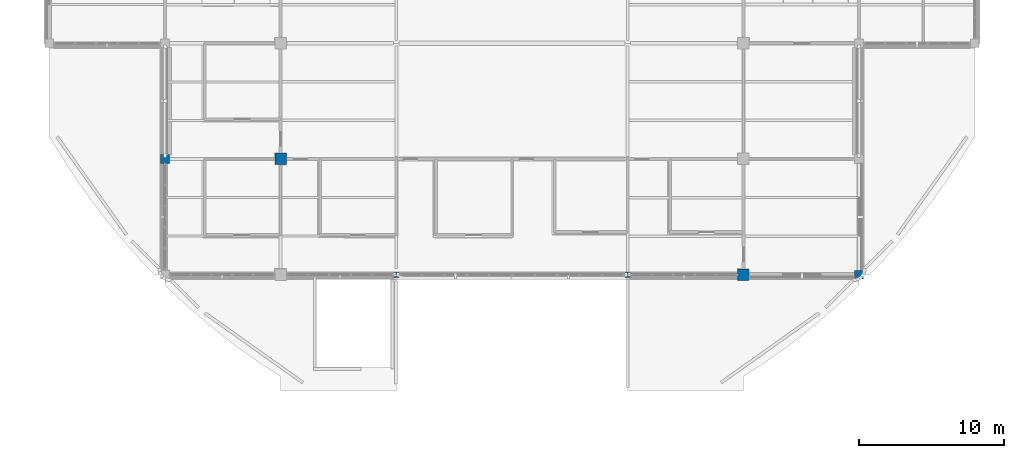
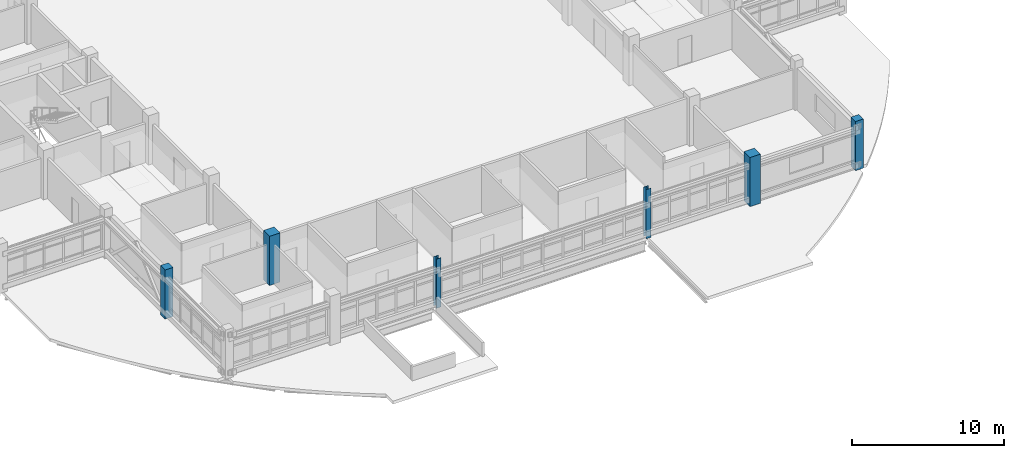
# One storey, part 2 of 126: 6 columns.
"""IFC4 building model written with IfcOpenShell, lengths in metres."""

import ifcopenshell
import ifcopenshell.guid

model = None  # the IFC model being written
_history = None  # IfcOwnerHistory: only IFC2X3 demands one
_inside = {}  # id of a spatial element -> (the spatial element, [elements in it])
_under = {}  # id of a project, library or spatial element -> (it, [spatial elements below it])
_declared = {}  # id of a project -> (the project, [libraries it declares])
_typed = {}  # id of a type object -> (the type object, [elements of that type])
_made_of = {}  # id of a material, layer set ... -> (it, [elements and type objects made of it])


def new_model(schema):
    """Start an empty IFC model of exactly this schema.

    Asked for "IFC4X3", IfcOpenShell would pick the latest addendum, in which some entities
    have other attributes; the version numbers below select the first issue.
    IFC2X3 requires an IfcOwnerHistory on every rooted entity: one is made here for all.
    """
    global model, _history
    if schema == "IFC4X3":
        model = ifcopenshell.file(schema_version=(4, 3, 0, 0))
    else:
        model = ifcopenshell.file(schema=schema)
    _inside.clear()
    _under.clear()
    _declared.clear()
    _typed.clear()
    _made_of.clear()
    _history = None
    if model.schema == "IFC2X3":
        org = make("IfcOrganization", Name="unknown")
        user = make(
            "IfcPersonAndOrganization",
            ThePerson=make("IfcPerson", FamilyName="unknown"),
            TheOrganization=org,
        )
        app = make(
            "IfcApplication",
            ApplicationDeveloper=org,
            Version="unknown",
            ApplicationFullName="unknown",
            ApplicationIdentifier="unknown",
        )
        _history = make(
            "IfcOwnerHistory",
            OwningUser=user,
            OwningApplication=app,
            ChangeAction="ADDED",
            CreationDate=0,
        )
    return model


def make(cls, **values):
    """One entity of the class cls with the attributes given. An attribute that is None is left unset."""
    return model.create_entity(
        cls, **{name: value for name, value in values.items() if value is not None}
    )


def rooted(cls, **values):
    """An entity with a GlobalId (a new one), such as an element, a storey or a relation."""
    return make(cls, GlobalId=ifcopenshell.guid.new(), OwnerHistory=_history, **values)


def si_unit(unit_type, name, prefix=None):
    """IfcSIUnit, for example si_unit("LENGTHUNIT", "METRE", prefix="MILLI")."""
    return make("IfcSIUnit", UnitType=unit_type, Prefix=prefix, Name=name)


def derived_unit(unit_type, elements):
    """IfcDerivedUnit: a product of units, each with its exponent."""
    return make(
        "IfcDerivedUnit",
        Elements=[
            make("IfcDerivedUnitElement", Unit=unit, Exponent=power)
            for unit, power in elements
        ],
        UnitType=unit_type,
    )


def assignment(units):
    """IfcUnitAssignment: the units of a project."""
    return None if units is None else make("IfcUnitAssignment", Units=units)


def point(xyz):
    """IfcCartesianPoint."""
    return None if xyz is None else make("IfcCartesianPoint", Coordinates=xyz)


def direction(xyz):
    """IfcDirection."""
    return None if xyz is None else make("IfcDirection", DirectionRatios=xyz)


def frame(location, z_axis=None, x_axis=None):
    """IfcAxis2Placement3D, a coordinate frame: its origin and axes. An axis left out is left unset."""
    return make(
        "IfcAxis2Placement3D",
        Location=point(location),
        Axis=direction(z_axis),
        RefDirection=direction(x_axis),
    )


def frame_2d(location, x_axis=None):
    """IfcAxis2Placement2D, a coordinate frame in the plane: its origin and x axis."""
    return make(
        "IfcAxis2Placement2D", Location=point(location), RefDirection=direction(x_axis)
    )


def origin():
    """The frame at (0, 0, 0) with its axes left unset."""
    return frame((0.0, 0.0, 0.0))


def origin_2d():
    """The frame at (0, 0) in the plane with its x axis left unset."""
    return frame_2d((0.0, 0.0))


def place(relative_to, where):
    """IfcLocalPlacement: puts the frame where relative to a parent placement (None: the world)."""
    return make(
        "IfcLocalPlacement", PlacementRelTo=relative_to, RelativePlacement=where
    )


def context(
    kind, dimensions, precision=None, world=None, true_north=None, identifier=None
):
    """IfcGeometricRepresentationContext, for example the 3D "Model" context."""
    return make(
        "IfcGeometricRepresentationContext",
        ContextIdentifier=identifier,
        ContextType=kind,
        CoordinateSpaceDimension=dimensions,
        Precision=precision,
        WorldCoordinateSystem=world,
        TrueNorth=true_north,
    )


def subcontext(parent, identifier, kind, view, scale=None):
    """IfcGeometricRepresentationSubContext, for example "Body" below "Model"."""
    return make(
        "IfcGeometricRepresentationSubContext",
        ContextIdentifier=identifier,
        ContextType=kind,
        ParentContext=parent,
        TargetScale=scale,
        TargetView=view,
    )


def project(units=None, contexts=None):
    """IfcProject with its units and contexts."""
    return rooted(
        "IfcProject",
        Name="project",
        RepresentationContexts=contexts,
        UnitsInContext=assignment(units),
    )


def spatial(cls, under=None, at=None, **own):
    """A site, building, storey or space (cls), placed at a placement, below another one or the project."""
    s = rooted(cls, ObjectPlacement=at, **own)
    if under is not None:
        _under.setdefault(under.id(), (under, []))[1].append(s)
    return s


def profile(cls, at=None, kind="AREA", **sizes):
    """A parametric profile (cls). Its sizes go by their IFC names, for example OverallWidth=200.0."""
    return make(cls, ProfileType=kind, Position=at, **sizes)


def rectangle(**sizes):
    """IfcRectangleProfileDef."""
    return profile("IfcRectangleProfileDef", **sizes)


def i_section(**sizes):
    """IfcIShapeProfileDef."""
    return profile("IfcIShapeProfileDef", **sizes)


def extrude(swept, where, along, depth):
    """IfcExtrudedAreaSolid: the profile swept, set in the frame where, extruded along a direction by depth."""
    return make(
        "IfcExtrudedAreaSolid",
        SweptArea=swept,
        Position=where,
        ExtrudedDirection=direction(along),
        Depth=depth,
    )


def shape(context_of_items, identifier, shape_type, items):
    """IfcShapeRepresentation: the items that make up one representation, for example the "Body"."""
    return make(
        "IfcShapeRepresentation",
        ContextOfItems=context_of_items,
        RepresentationIdentifier=identifier,
        RepresentationType=shape_type,
        Items=items,
    )


def material(Name=None, Category=None):
    """IfcMaterial."""
    return make("IfcMaterial", Name=Name, Category=Category)


def material_profile(
    of_material, cross_section, Name=None, Category=None, Priority=None
):
    """IfcMaterialProfile: a cross section and its material."""
    return make(
        "IfcMaterialProfile",
        Name=Name,
        Material=of_material,
        Profile=cross_section,
        Priority=Priority,
        Category=Category,
    )


def profile_set(profiles, Name=None, composite=None):
    """IfcMaterialProfileSet."""
    return make(
        "IfcMaterialProfileSet",
        Name=Name,
        MaterialProfiles=profiles,
        CompositeProfile=composite,
    )


def made_of(thing, what):
    """Note that an element or type object is made of a material, layer set ...; save() writes the relation."""
    if what is not None:
        _made_of.setdefault(what.id(), (what, []))[1].append(thing)
    return thing


def type_object(cls, material=None, **own):
    """A type object (cls), such as IfcWallType, which elements share."""
    return made_of(rooted(cls, **own), material)


def element(
    cls,
    number,
    at=None,
    inside=None,
    cuts=None,
    type_object=None,
    material=None,
    context=None,
    identifier="Body",
    shape_type=None,
    held_by="IfcProductDefinitionShape",
    body=None,
    shapes=None,
    **own,
):
    """One element of the class cls, such as IfcWall. Its Tag is "e" and its number.

    at: its placement. inside: the storey or other place that contains it. cuts: it is an
    opening in that element (IfcRelVoidsElement). A single representation is given by context,
    identifier, shape_type and body (its items); several are given by shapes. held_by: the class
    of the entity that holds the representations. save() writes the other relations.
    """
    e = rooted(cls, Tag="e%d" % number, ObjectPlacement=at, **own)
    if body is not None:
        shapes = [shape(context, identifier, shape_type, body)]
    if shapes is not None:
        e.Representation = make(held_by, Representations=shapes)
    if inside is not None:
        _inside.setdefault(inside.id(), (inside, []))[1].append(e)
    if cuts is not None:
        rooted(
            "IfcRelVoidsElement", RelatingBuildingElement=cuts, RelatedOpeningElement=e
        )
    if type_object is not None:
        _typed.setdefault(type_object.id(), (type_object, []))[1].append(e)
    return made_of(e, material)


def aggregate(whole, parts):
    """IfcRelAggregates: a whole, such as a stair, and the parts it consists of."""
    return rooted("IfcRelAggregates", RelatingObject=whole, RelatedObjects=parts)


def save(model, path):
    """Write the relations noted so far, then the file.

    IfcRelAggregates (storeys below a building ...), IfcRelContainedInSpatialStructure (elements
    in a storey), IfcRelDefinesByType, IfcRelAssociatesMaterial and IfcRelDeclares: one each for
    every whole, place, type object, material and project.
    """
    for whole, parts in _under.values():
        aggregate(whole, parts)
    for where, things in _inside.values():
        rooted(
            "IfcRelContainedInSpatialStructure",
            RelatedElements=things,
            RelatingStructure=where,
        )
    for kind, things in _typed.values():
        rooted("IfcRelDefinesByType", RelatedObjects=things, RelatingType=kind)
    for what, things in _made_of.values():
        rooted("IfcRelAssociatesMaterial", RelatedObjects=things, RelatingMaterial=what)
    for by, libraries in _declared.values():
        rooted("IfcRelDeclares", RelatingContext=by, RelatedDefinitions=libraries)
    model.write(path)


model = new_model("IFC4")

# Units and contexts
model_context = context("Model", 3, precision=1e-05, world=origin(), true_north=direction((0.0, 1.0)))
body_context = subcontext(model_context, "Body", "Model", "MODEL_VIEW")
ifc_project = project(units=[si_unit("LENGTHUNIT", "METRE"), si_unit("AREAUNIT", "SQUARE_METRE"), si_unit("VOLUMEUNIT", "CUBIC_METRE"), si_unit("PLANEANGLEUNIT", "RADIAN"), si_unit("MASSUNIT", "GRAM", prefix="KILO"), derived_unit("THERMALTRANSMITTANCEUNIT", [(si_unit("MASSUNIT", "GRAM", prefix="KILO"), 1), (si_unit("TIMEUNIT", "SECOND"), -3), (si_unit("THERMODYNAMICTEMPERATUREUNIT", "KELVIN"), -1)])], contexts=[model_context])

# Site, building, storey
site_placement = place(None, origin())
site = spatial("IfcSite", under=ifc_project, at=site_placement, CompositionType="ELEMENT")
building_placement = place(site_placement, origin())
building = spatial("IfcBuilding", under=site, at=building_placement, Name="Veyamyaing Civic Hall", CompositionType="ELEMENT")
storey_placement = place(building_placement, frame((0.0, 0.0, 9.89990234375)))
storey = spatial("IfcBuildingStorey", under=building, at=storey_placement, Name="L02", CompositionType="ELEMENT", Elevation=9.89990234375)

# Columns
ifc_material_1 = material(Name="Concrete C45/55", Category="concrete")
ifc_material_profile_1 = material_profile(ifc_material_1, rectangle(XDim=0.800048828125, YDim=0.800048828125, at=origin_2d()), Name="RC-COL-800X800")
ifc_profile_set_1 = profile_set([ifc_material_profile_1], Name="Concrete C45/55")
column_type_1 = type_object("IfcColumnType", Name="C-02", PredefinedType="COLUMN", material=ifc_profile_set_1)
for number, where, z_axis, x_axis, name in (
    (1, (72.0, 32.0, 0.0), (0.0, 0.0, 1.0), (1.0, 0.0, 0.0), "Column C-02 10-E L02"),
    (2, (104.0, 24.0, 0.0), (0.0, 0.0, 1.0), (1.0, 0.0, 0.0), "Column C-02 14-D L02"),
):
    element("IfcColumn", number, at=place(storey_placement, frame(where, z_axis=z_axis, x_axis=x_axis)), inside=storey, type_object=column_type_1, Name=name, PredefinedType="COLUMN", context=body_context, shape_type="SweptSolid", body=[
        extrude(rectangle(XDim=0.800048828125, YDim=0.800048828125, at=origin_2d()), origin(), (0.0, 0.0, 1.0), 3.960205078125),
    ])
ifc_material_profile_2 = material_profile(ifc_material_1, rectangle(XDim=0.60009765625, YDim=0.60009765625, at=origin_2d()), Name="RC-COL-600X600")
ifc_profile_set_2 = profile_set([ifc_material_profile_2], Name="Concrete C45/55")
column_type_2 = type_object("IfcColumnType", Name="C-06", PredefinedType="COLUMN", material=ifc_profile_set_2)
for number, where, z_axis, x_axis, name in (
    (3, (64.0, 32.0, 0.0), (0.0, 0.0, 1.0), (1.0, 0.0, 0.0), "Column C-06 9-E L02"),
    (4, (112.0, 24.0, 0.0), (0.0, 0.0, 1.0), (1.0, 0.0, 0.0), "Column C-06 15-D L02"),
):
    element("IfcColumn", number, at=place(storey_placement, frame(where, z_axis=z_axis, x_axis=x_axis)), inside=storey, type_object=column_type_2, Name=name, PredefinedType="COLUMN", context=body_context, shape_type="SweptSolid", body=[
        extrude(rectangle(XDim=0.60009765625, YDim=0.60009765625, at=origin_2d()), origin(), (0.0, 0.0, 1.0), 3.960205078125),
    ])
ifc_material_2 = material(Name="Steel S355J2", Category="steel")
ifc_material_profile_3 = material_profile(ifc_material_2, i_section(OverallWidth=0.37109375, OverallDepth=0.364013671875, WebThickness=0.01318359375, FlangeThickness=0.021728515625, FilletRadius=0.014892578125, at=origin_2d()), Name="W360X162")
ifc_profile_set_3 = profile_set([ifc_material_profile_3], Name="Steel S355J2")
column_type_3 = type_object("IfcColumnType", Name="C-16", PredefinedType="COLUMN", material=ifc_profile_set_3)
for number, where, z_axis, x_axis, name in (
    (5, (80.0, 24.0, 0.0), (0.0, 0.0, 1.0), (1.0, 0.0, 0.0), "Column C-16 11-D L02"),
    (6, (96.0, 24.0, 0.0), (0.0, 0.0, 1.0), (1.0, 0.0, 0.0), "Column C-16 13-D L02"),
):
    element("IfcColumn", number, at=place(storey_placement, frame(where, z_axis=z_axis, x_axis=x_axis)), inside=storey, type_object=column_type_3, Name=name, PredefinedType="COLUMN", context=body_context, shape_type="SweptSolid", body=[
        extrude(i_section(OverallWidth=0.37109375, OverallDepth=0.364013671875, WebThickness=0.01318359375, FlangeThickness=0.021728515625, FilletRadius=0.014892578125, at=origin_2d()), origin(), (0.0, 0.0, 1.0), 3.960205078125),
    ])

save(model, "model.ifc")
